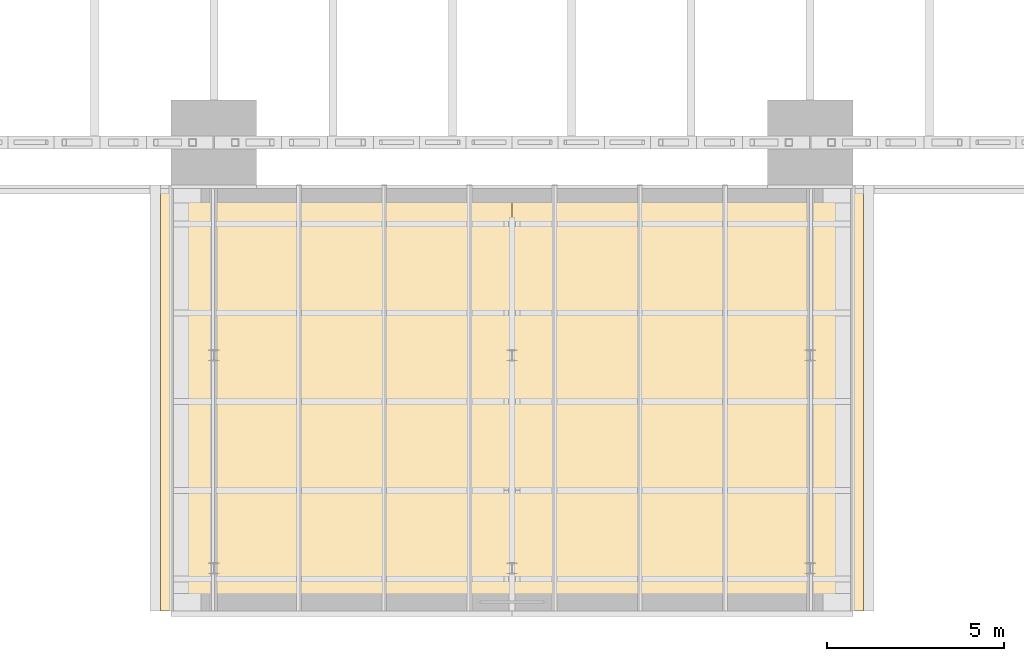
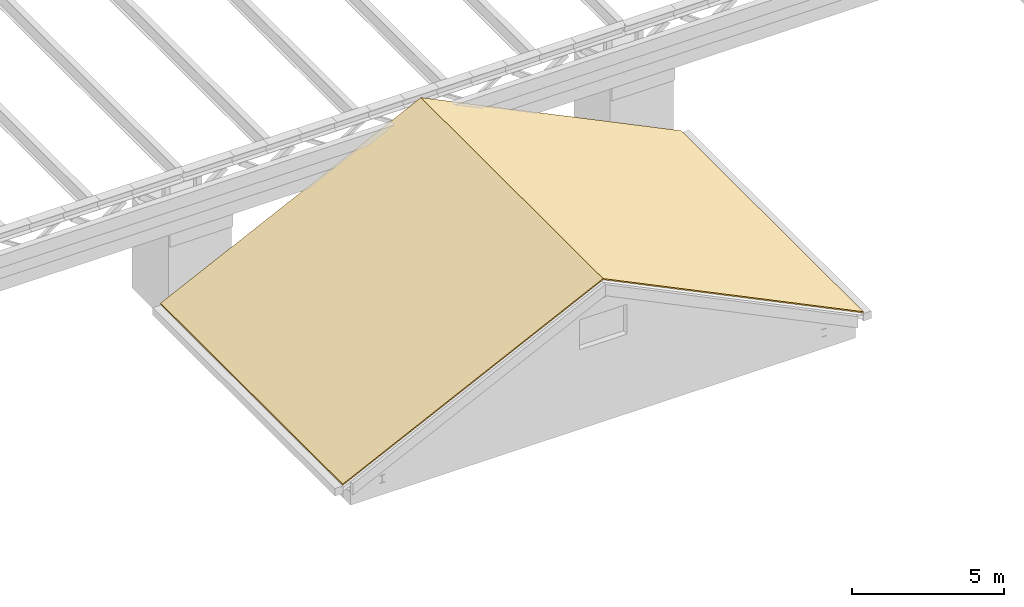
# One storey, part 93 of 93: 1 covering.
"""IFC4 building model written with IfcOpenShell, lengths in metres."""

from ifc_helpers import new_model, si_unit, direction, frame, origin, place, context, subcontext, project, spatial, polygons, material, layer, layer_set, type_object, element, save


model = new_model("IFC4")

# Units and contexts
model_context = context("Model", 3, precision=1e-05, world=origin(), true_north=direction((0.0, 1.0)))
body_context = subcontext(model_context, "Body", "Model", "MODEL_VIEW")
ifc_project = project(units=[si_unit("LENGTHUNIT", "METRE"), si_unit("AREAUNIT", "SQUARE_METRE"), si_unit("VOLUMEUNIT", "CUBIC_METRE"), si_unit("PLANEANGLEUNIT", "RADIAN"), si_unit("MASSUNIT", "GRAM", prefix="KILO")], contexts=[model_context])

# Site, building, storey
site_placement = place(None, origin())
site = spatial("IfcSite", under=ifc_project, at=site_placement, CompositionType="ELEMENT")
building_placement = place(site_placement, origin())
building = spatial("IfcBuilding", under=site, at=building_placement, Name="Verrick Yard Athletic Hall", CompositionType="ELEMENT")
storey_placement = place(building_placement, frame((0.0, 0.0, 8.800048828125)))
storey = spatial("IfcBuildingStorey", under=building, at=storey_placement, Name="L02", CompositionType="ELEMENT", Elevation=8.800048828125)

# Covering
ifc_material = material(Name="Standing-seam aluminium roofing", Category="aluminium")
ifc_layer = layer(ifc_material, 0.050048828125)
ifc_layer_set = layer_set([ifc_layer], Name="Roof covering standing seam")
covering_type = type_object("IfcCoveringType", Name="Roof covering standing seam", PredefinedType="ROOFING", material=ifc_layer_set)
covering_placement = place(storey_placement, origin())
element("IfcCovering", 1, at=covering_placement, inside=storey, type_object=covering_type, Name="Foyer pavilion roofing", PredefinedType="ROOFING", context=body_context, shape_type="Tessellation", body=[
    polygons([(88.89990234375, 6.0, 0.949951171875), (98.800048828125, 6.0, 5.75), (108.699951171875, 6.0, 0.949951171875), (108.699951171875, 18.0, 0.949951171875), (98.800048828125, 18.0, 5.75), (88.89990234375, 18.0, 0.949951171875), (88.89990234375, 6.0, 0.89990234375), (98.800048828125, 6.0, 5.699951171875), (108.699951171875, 6.0, 0.89990234375), (108.699951171875, 18.0, 0.89990234375), (98.800048828125, 18.0, 5.699951171875), (88.89990234375, 18.0, 0.89990234375)], [[[1, 2, 5]], [[1, 5, 6]], [[2, 3, 4]], [[2, 4, 5]], [[7, 11, 8]], [[7, 12, 11]], [[8, 10, 9]], [[8, 11, 10]], [[1, 7, 8]], [[1, 8, 2]], [[2, 8, 9]], [[2, 9, 3]], [[3, 9, 10]], [[3, 10, 4]], [[4, 10, 11]], [[4, 11, 5]], [[5, 11, 12]], [[5, 12, 6]], [[6, 12, 7]], [[6, 7, 1]]], closed=True),
])

save(model, "model.ifc")
